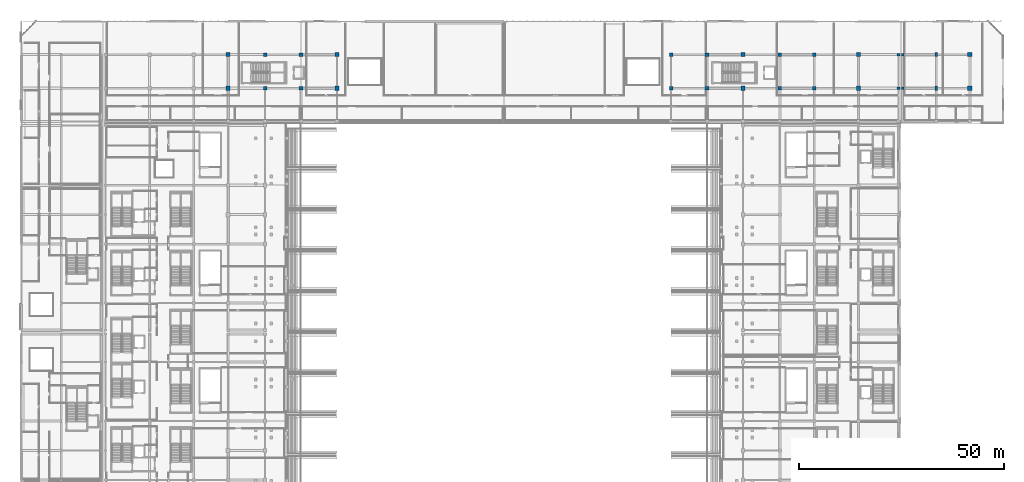
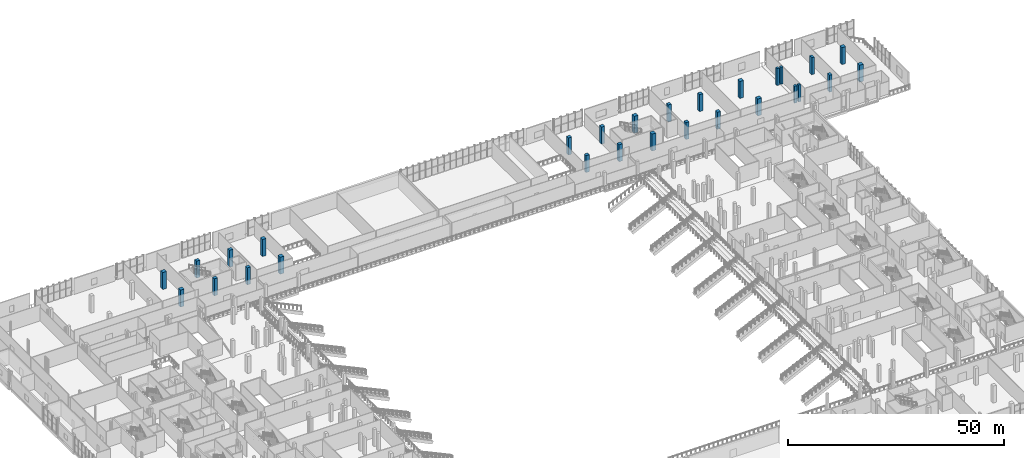
# One storey, part 11 of 129: 28 columns.
"""IFC4 building model written with IfcOpenShell, lengths in metres."""

from ifc_helpers import new_model, si_unit, direction, frame, origin, origin_2d, place, context, subcontext, project, spatial, rectangle, extrude, material, material_profile, profile_set, type_object, element, save


model = new_model("IFC4")

# Units and contexts
model_context = context("Model", 3, precision=1e-05, world=origin(), true_north=direction((0.0, 1.0)))
body_context = subcontext(model_context, "Body", "Model", "MODEL_VIEW")
ifc_project = project(units=[si_unit("LENGTHUNIT", "METRE"), si_unit("AREAUNIT", "SQUARE_METRE"), si_unit("VOLUMEUNIT", "CUBIC_METRE"), si_unit("PLANEANGLEUNIT", "RADIAN"), si_unit("MASSUNIT", "GRAM", prefix="KILO")], contexts=[model_context])

# Site, building, storey
site_placement = place(None, origin())
site = spatial("IfcSite", under=ifc_project, at=site_placement, CompositionType="ELEMENT")
building_placement = place(site_placement, origin())
building = spatial("IfcBuilding", under=site, at=building_placement, Name="Koshinbarg Plaza Stadium", CompositionType="ELEMENT")
storey_placement = place(building_placement, frame((0.0, 0.0, 5.39990234375)))
storey = spatial("IfcBuildingStorey", under=building, at=storey_placement, Name="L01", CompositionType="ELEMENT", Elevation=5.39990234375)

# Columns
ifc_material = material(Name="Concrete C40/50", Category="concrete")
ifc_material_profile_1 = material_profile(ifc_material, rectangle(XDim=0.60009765625, YDim=0.60009765625, at=origin_2d()), Name="RC 600x600")
ifc_profile_set_1 = profile_set([ifc_material_profile_1], Name="Concrete C40/50")
column_type_1 = type_object("IfcColumnType", Name="COL-RC-04", PredefinedType="COLUMN", material=ifc_profile_set_1)
for number, where, z_axis, x_axis, name in (
    (1, (219.39990234375, 135.60009765625, 0.0), (0.0, 0.0, 1.0), (1.0, 0.0, 0.0), "L01 column 22/T"),
    (2, (219.39990234375, 143.800048828125, 0.0), (0.0, 0.0, 1.0), (1.0, 0.0, 0.0), "L01 column 22/U"),
):
    element("IfcColumn", number, at=place(storey_placement, frame(where, z_axis=z_axis, x_axis=x_axis)), inside=storey, type_object=column_type_1, Name=name, PredefinedType="COLUMN", context=body_context, shape_type="SweptSolid", body=[
        extrude(rectangle(XDim=0.60009765625, YDim=0.60009765625, at=origin_2d()), origin(), (0.0, 0.0, 1.0), 4.800048828125),
    ])
ifc_material_profile_2 = material_profile(ifc_material, rectangle(XDim=0.64990234375, YDim=0.64990234375, at=origin_2d()), Name="RC 650x650")
ifc_profile_set_2 = profile_set([ifc_material_profile_2], Name="Concrete C40/50")
column_type_2 = type_object("IfcColumnType", Name="COL-RC-05", PredefinedType="COLUMN", material=ifc_profile_set_2)
for number, where, z_axis, x_axis, name in (
    (3, (218.39990234375, 135.60009765625, 0.0), (0.0, 0.0, 1.0), (1.0, 0.0, 0.0), "L01 column 21/T"),
    (4, (218.39990234375, 143.800048828125, 0.0), (0.0, 0.0, 1.0), (1.0, 0.0, 0.0), "L01 column 21/U"),
):
    element("IfcColumn", number, at=place(storey_placement, frame(where, z_axis=z_axis, x_axis=x_axis)), inside=storey, type_object=column_type_2, Name=name, PredefinedType="COLUMN", context=body_context, shape_type="SweptSolid", body=[
        extrude(rectangle(XDim=0.64990234375, YDim=0.64990234375, at=origin_2d()), origin(), (0.0, 0.0, 1.0), 4.800048828125),
    ])
ifc_material_profile_3 = material_profile(ifc_material, rectangle(XDim=0.85009765625, YDim=0.85009765625, at=origin_2d()), Name="RC 850x850")
ifc_profile_set_3 = profile_set([ifc_material_profile_3], Name="Concrete C40/50")
column_type_3 = type_object("IfcColumnType", Name="COL-RC-09", PredefinedType="COLUMN", material=ifc_profile_set_3)
for number, where, z_axis, x_axis, name in (
    (5, (162.800048828125, 135.60009765625, 0.0), (0.0, 0.0, 1.0), (1.0, 0.0, 0.0), "L01 column 15/T"),
    (6, (162.800048828125, 143.800048828125, 0.0), (0.0, 0.0, 1.0), (1.0, 0.0, 0.0), "L01 column 15/U"),
    (7, (189.39990234375, 135.60009765625, 0.0), (0.0, 0.0, 1.0), (1.0, 0.0, 0.0), "L01 column 18/T"),
    (8, (189.39990234375, 143.800048828125, 0.0), (0.0, 0.0, 1.0), (1.0, 0.0, 0.0), "L01 column 18/U"),
    (9, (63.60009765625, 135.60009765625, 0.0), (0.0, 0.0, 1.0), (1.0, 0.0, 0.0), "L01 column 9/T"),
    (10, (63.60009765625, 143.800048828125, 0.0), (0.0, 0.0, 1.0), (1.0, 0.0, 0.0), "L01 column 9/U"),
):
    element("IfcColumn", number, at=place(storey_placement, frame(where, z_axis=z_axis, x_axis=x_axis)), inside=storey, type_object=column_type_3, Name=name, PredefinedType="COLUMN", context=body_context, shape_type="SweptSolid", body=[
        extrude(rectangle(XDim=0.85009765625, YDim=0.85009765625, at=origin_2d()), origin(), (0.0, 0.0, 1.0), 4.800048828125),
    ])
ifc_material_profile_4 = material_profile(ifc_material, rectangle(XDim=0.89990234375, YDim=0.89990234375, at=origin_2d()), Name="RC 900x900")
ifc_profile_set_4 = profile_set([ifc_material_profile_4], Name="Concrete C40/50")
column_type_4 = type_object("IfcColumnType", Name="COL-RC-10", PredefinedType="COLUMN", material=ifc_profile_set_4)
for number, where, z_axis, x_axis, name in (
    (11, (72.39990234375, 135.60009765625, 0.0), (0.0, 0.0, 1.0), (1.0, 0.0, 0.0), "L01 column 10/T"),
    (12, (72.39990234375, 143.800048828125, 0.0), (0.0, 0.0, 1.0), (1.0, 0.0, 0.0), "L01 column 10/U"),
    (13, (171.60009765625, 135.60009765625, 0.0), (0.0, 0.0, 1.0), (1.0, 0.0, 0.0), "L01 column 16/T"),
    (14, (171.60009765625, 143.800048828125, 0.0), (0.0, 0.0, 1.0), (1.0, 0.0, 0.0), "L01 column 16/U"),
    (15, (197.800048828125, 135.60009765625, 0.0), (0.0, 0.0, 1.0), (1.0, 0.0, 0.0), "L01 column 19/T"),
    (16, (197.800048828125, 143.800048828125, 0.0), (0.0, 0.0, 1.0), (1.0, 0.0, 0.0), "L01 column 19/U"),
):
    element("IfcColumn", number, at=place(storey_placement, frame(where, z_axis=z_axis, x_axis=x_axis)), inside=storey, type_object=column_type_4, Name=name, PredefinedType="COLUMN", context=body_context, shape_type="SweptSolid", body=[
        extrude(rectangle(XDim=0.89990234375, YDim=0.89990234375, at=origin_2d()), origin(), (0.0, 0.0, 1.0), 4.800048828125),
    ])
ifc_material_profile_5 = material_profile(ifc_material, rectangle(XDim=1.0, YDim=1.0, at=origin_2d()), Name="RC 1000x1000")
ifc_profile_set_5 = profile_set([ifc_material_profile_5], Name="Concrete C40/50")
column_type_5 = type_object("IfcColumnType", Name="COL-RC-11", PredefinedType="COLUMN", material=ifc_profile_set_5)
for number, where, z_axis, x_axis, name in (
    (17, (81.199951171875, 135.60009765625, 0.0), (0.0, 0.0, 1.0), (1.0, 0.0, 0.0), "L01 column 11/T"),
    (18, (81.199951171875, 143.800048828125, 0.0), (0.0, 0.0, 1.0), (1.0, 0.0, 0.0), "L01 column 11/U"),
    (19, (180.39990234375, 135.60009765625, 0.0), (0.0, 0.0, 1.0), (1.0, 0.0, 0.0), "L01 column 17/T"),
    (20, (180.39990234375, 143.800048828125, 0.0), (0.0, 0.0, 1.0), (1.0, 0.0, 0.0), "L01 column 17/U"),
    (21, (208.60009765625, 135.60009765625, 0.0), (0.0, 0.0, 1.0), (1.0, 0.0, 0.0), "L01 column 20/T"),
    (22, (208.60009765625, 143.800048828125, 0.0), (0.0, 0.0, 1.0), (1.0, 0.0, 0.0), "L01 column 20/U"),
    (23, (235.800048828125, 135.60009765625, 0.0), (0.0, 0.0, 1.0), (1.0, 0.0, 0.0), "L01 column 24/T"),
    (24, (235.800048828125, 143.800048828125, 0.0), (0.0, 0.0, 1.0), (1.0, 0.0, 0.0), "L01 column 24/U"),
    (25, (54.60009765625, 135.60009765625, 0.0), (0.0, 0.0, 1.0), (1.0, 0.0, 0.0), "L01 column 8/T"),
    (26, (54.60009765625, 143.800048828125, 0.0), (0.0, 0.0, 1.0), (1.0, 0.0, 0.0), "L01 column 8/U"),
):
    element("IfcColumn", number, at=place(storey_placement, frame(where, z_axis=z_axis, x_axis=x_axis)), inside=storey, type_object=column_type_5, Name=name, PredefinedType="COLUMN", context=body_context, shape_type="SweptSolid", body=[
        extrude(rectangle(XDim=1.0, YDim=1.0, at=origin_2d()), origin(), (0.0, 0.0, 1.0), 4.800048828125),
    ])
ifc_material_profile_6 = material_profile(ifc_material, rectangle(XDim=0.699951171875, YDim=1.0, at=origin_2d()), Name="RC 700x1000")
ifc_profile_set_6 = profile_set([ifc_material_profile_6], Name="Concrete C40/50")
column_type_6 = type_object("IfcColumnType", Name="COL-RC-13", PredefinedType="COLUMN", material=ifc_profile_set_6)
for number, where, z_axis, x_axis, name in (
    (27, (227.60009765625, 135.60009765625, 0.0), (0.0, 0.0, 1.0), (1.0, 0.0, 0.0), "L01 column 23/T"),
    (28, (227.60009765625, 143.800048828125, 0.0), (0.0, 0.0, 1.0), (1.0, 0.0, 0.0), "L01 column 23/U"),
):
    element("IfcColumn", number, at=place(storey_placement, frame(where, z_axis=z_axis, x_axis=x_axis)), inside=storey, type_object=column_type_6, Name=name, PredefinedType="COLUMN", context=body_context, shape_type="SweptSolid", body=[
        extrude(rectangle(XDim=0.699951171875, YDim=1.0, at=origin_2d()), origin(), (0.0, 0.0, 1.0), 4.800048828125),
    ])

save(model, "model.ifc")
